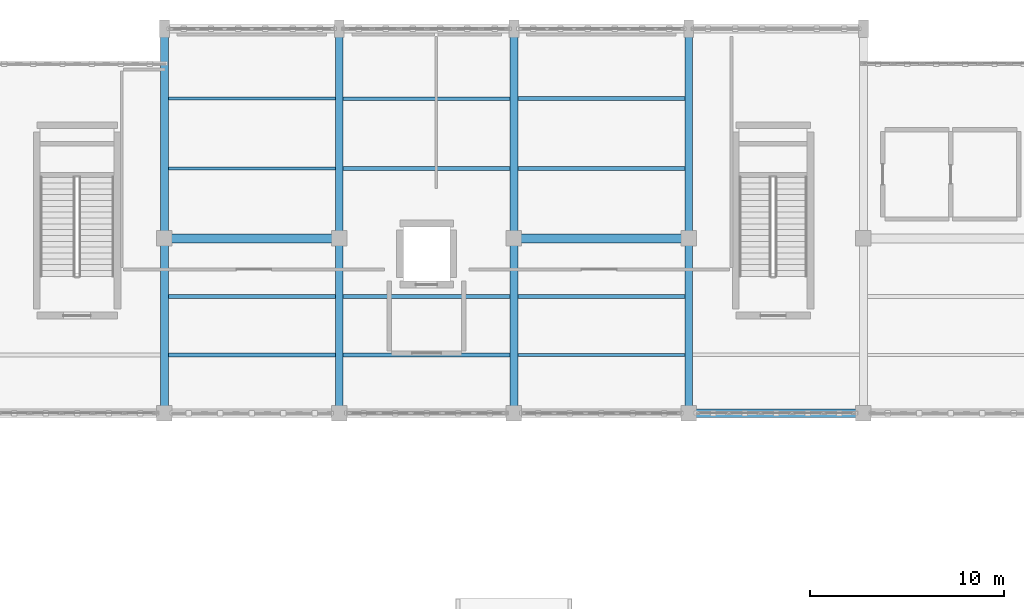
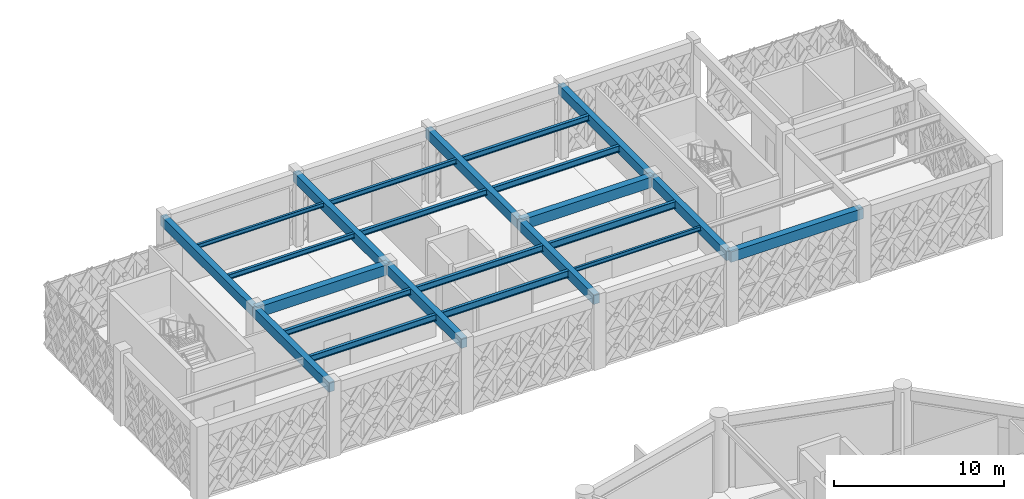
# One storey, part 38 of 86: 23 beams.
"""IFC4 building model written with IfcOpenShell, lengths in metres."""

import ifcopenshell
import ifcopenshell.guid

model = None  # the IFC model being written
_history = None  # IfcOwnerHistory: only IFC2X3 demands one
_inside = {}  # id of a spatial element -> (the spatial element, [elements in it])
_under = {}  # id of a project, library or spatial element -> (it, [spatial elements below it])
_declared = {}  # id of a project -> (the project, [libraries it declares])
_typed = {}  # id of a type object -> (the type object, [elements of that type])
_made_of = {}  # id of a material, layer set ... -> (it, [elements and type objects made of it])


def new_model(schema):
    """Start an empty IFC model of exactly this schema.

    Asked for "IFC4X3", IfcOpenShell would pick the latest addendum, in which some entities
    have other attributes; the version numbers below select the first issue.
    IFC2X3 requires an IfcOwnerHistory on every rooted entity: one is made here for all.
    """
    global model, _history
    if schema == "IFC4X3":
        model = ifcopenshell.file(schema_version=(4, 3, 0, 0))
    else:
        model = ifcopenshell.file(schema=schema)
    _inside.clear()
    _under.clear()
    _declared.clear()
    _typed.clear()
    _made_of.clear()
    _history = None
    if model.schema == "IFC2X3":
        org = make("IfcOrganization", Name="unknown")
        user = make(
            "IfcPersonAndOrganization",
            ThePerson=make("IfcPerson", FamilyName="unknown"),
            TheOrganization=org,
        )
        app = make(
            "IfcApplication",
            ApplicationDeveloper=org,
            Version="unknown",
            ApplicationFullName="unknown",
            ApplicationIdentifier="unknown",
        )
        _history = make(
            "IfcOwnerHistory",
            OwningUser=user,
            OwningApplication=app,
            ChangeAction="ADDED",
            CreationDate=0,
        )
    return model


def make(cls, **values):
    """One entity of the class cls with the attributes given. An attribute that is None is left unset."""
    return model.create_entity(
        cls, **{name: value for name, value in values.items() if value is not None}
    )


def rooted(cls, **values):
    """An entity with a GlobalId (a new one), such as an element, a storey or a relation."""
    return make(cls, GlobalId=ifcopenshell.guid.new(), OwnerHistory=_history, **values)


def si_unit(unit_type, name, prefix=None):
    """IfcSIUnit, for example si_unit("LENGTHUNIT", "METRE", prefix="MILLI")."""
    return make("IfcSIUnit", UnitType=unit_type, Prefix=prefix, Name=name)


def assignment(units):
    """IfcUnitAssignment: the units of a project."""
    return None if units is None else make("IfcUnitAssignment", Units=units)


def point(xyz):
    """IfcCartesianPoint."""
    return None if xyz is None else make("IfcCartesianPoint", Coordinates=xyz)


def direction(xyz):
    """IfcDirection."""
    return None if xyz is None else make("IfcDirection", DirectionRatios=xyz)


def frame(location, z_axis=None, x_axis=None):
    """IfcAxis2Placement3D, a coordinate frame: its origin and axes. An axis left out is left unset."""
    return make(
        "IfcAxis2Placement3D",
        Location=point(location),
        Axis=direction(z_axis),
        RefDirection=direction(x_axis),
    )


def frame_2d(location, x_axis=None):
    """IfcAxis2Placement2D, a coordinate frame in the plane: its origin and x axis."""
    return make(
        "IfcAxis2Placement2D", Location=point(location), RefDirection=direction(x_axis)
    )


def origin():
    """The frame at (0, 0, 0) with its axes left unset."""
    return frame((0.0, 0.0, 0.0))


def origin_2d():
    """The frame at (0, 0) in the plane with its x axis left unset."""
    return frame_2d((0.0, 0.0))


def place(relative_to, where):
    """IfcLocalPlacement: puts the frame where relative to a parent placement (None: the world)."""
    return make(
        "IfcLocalPlacement", PlacementRelTo=relative_to, RelativePlacement=where
    )


def context(
    kind, dimensions, precision=None, world=None, true_north=None, identifier=None
):
    """IfcGeometricRepresentationContext, for example the 3D "Model" context."""
    return make(
        "IfcGeometricRepresentationContext",
        ContextIdentifier=identifier,
        ContextType=kind,
        CoordinateSpaceDimension=dimensions,
        Precision=precision,
        WorldCoordinateSystem=world,
        TrueNorth=true_north,
    )


def subcontext(parent, identifier, kind, view, scale=None):
    """IfcGeometricRepresentationSubContext, for example "Body" below "Model"."""
    return make(
        "IfcGeometricRepresentationSubContext",
        ContextIdentifier=identifier,
        ContextType=kind,
        ParentContext=parent,
        TargetScale=scale,
        TargetView=view,
    )


def project(units=None, contexts=None):
    """IfcProject with its units and contexts."""
    return rooted(
        "IfcProject",
        Name="project",
        RepresentationContexts=contexts,
        UnitsInContext=assignment(units),
    )


def spatial(cls, under=None, at=None, **own):
    """A site, building, storey or space (cls), placed at a placement, below another one or the project."""
    s = rooted(cls, ObjectPlacement=at, **own)
    if under is not None:
        _under.setdefault(under.id(), (under, []))[1].append(s)
    return s


def profile(cls, at=None, kind="AREA", **sizes):
    """A parametric profile (cls). Its sizes go by their IFC names, for example OverallWidth=200.0."""
    return make(cls, ProfileType=kind, Position=at, **sizes)


def rectangle(**sizes):
    """IfcRectangleProfileDef."""
    return profile("IfcRectangleProfileDef", **sizes)


def i_section(**sizes):
    """IfcIShapeProfileDef."""
    return profile("IfcIShapeProfileDef", **sizes)


def extrude(swept, where, along, depth):
    """IfcExtrudedAreaSolid: the profile swept, set in the frame where, extruded along a direction by depth."""
    return make(
        "IfcExtrudedAreaSolid",
        SweptArea=swept,
        Position=where,
        ExtrudedDirection=direction(along),
        Depth=depth,
    )


def shape(context_of_items, identifier, shape_type, items):
    """IfcShapeRepresentation: the items that make up one representation, for example the "Body"."""
    return make(
        "IfcShapeRepresentation",
        ContextOfItems=context_of_items,
        RepresentationIdentifier=identifier,
        RepresentationType=shape_type,
        Items=items,
    )


def material(Name=None, Category=None):
    """IfcMaterial."""
    return make("IfcMaterial", Name=Name, Category=Category)


def material_profile(
    of_material, cross_section, Name=None, Category=None, Priority=None
):
    """IfcMaterialProfile: a cross section and its material."""
    return make(
        "IfcMaterialProfile",
        Name=Name,
        Material=of_material,
        Profile=cross_section,
        Priority=Priority,
        Category=Category,
    )


def profile_set(profiles, Name=None, composite=None):
    """IfcMaterialProfileSet."""
    return make(
        "IfcMaterialProfileSet",
        Name=Name,
        MaterialProfiles=profiles,
        CompositeProfile=composite,
    )


def made_of(thing, what):
    """Note that an element or type object is made of a material, layer set ...; save() writes the relation."""
    if what is not None:
        _made_of.setdefault(what.id(), (what, []))[1].append(thing)
    return thing


def type_object(cls, material=None, **own):
    """A type object (cls), such as IfcWallType, which elements share."""
    return made_of(rooted(cls, **own), material)


def element(
    cls,
    number,
    at=None,
    inside=None,
    cuts=None,
    type_object=None,
    material=None,
    context=None,
    identifier="Body",
    shape_type=None,
    held_by="IfcProductDefinitionShape",
    body=None,
    shapes=None,
    **own,
):
    """One element of the class cls, such as IfcWall. Its Tag is "e" and its number.

    at: its placement. inside: the storey or other place that contains it. cuts: it is an
    opening in that element (IfcRelVoidsElement). A single representation is given by context,
    identifier, shape_type and body (its items); several are given by shapes. held_by: the class
    of the entity that holds the representations. save() writes the other relations.
    """
    e = rooted(cls, Tag="e%d" % number, ObjectPlacement=at, **own)
    if body is not None:
        shapes = [shape(context, identifier, shape_type, body)]
    if shapes is not None:
        e.Representation = make(held_by, Representations=shapes)
    if inside is not None:
        _inside.setdefault(inside.id(), (inside, []))[1].append(e)
    if cuts is not None:
        rooted(
            "IfcRelVoidsElement", RelatingBuildingElement=cuts, RelatedOpeningElement=e
        )
    if type_object is not None:
        _typed.setdefault(type_object.id(), (type_object, []))[1].append(e)
    return made_of(e, material)


def aggregate(whole, parts):
    """IfcRelAggregates: a whole, such as a stair, and the parts it consists of."""
    return rooted("IfcRelAggregates", RelatingObject=whole, RelatedObjects=parts)


def save(model, path):
    """Write the relations noted so far, then the file.

    IfcRelAggregates (storeys below a building ...), IfcRelContainedInSpatialStructure (elements
    in a storey), IfcRelDefinesByType, IfcRelAssociatesMaterial and IfcRelDeclares: one each for
    every whole, place, type object, material and project.
    """
    for whole, parts in _under.values():
        aggregate(whole, parts)
    for where, things in _inside.values():
        rooted(
            "IfcRelContainedInSpatialStructure",
            RelatedElements=things,
            RelatingStructure=where,
        )
    for kind, things in _typed.values():
        rooted("IfcRelDefinesByType", RelatedObjects=things, RelatingType=kind)
    for what, things in _made_of.values():
        rooted("IfcRelAssociatesMaterial", RelatedObjects=things, RelatingMaterial=what)
    for by, libraries in _declared.values():
        rooted("IfcRelDeclares", RelatingContext=by, RelatedDefinitions=libraries)
    model.write(path)


model = new_model("IFC4")

# Units and contexts
model_context = context("Model", 3, precision=1e-05, world=origin(), true_north=direction((0.0, 1.0)))
body_context = subcontext(model_context, "Body", "Model", "MODEL_VIEW")
ifc_project = project(units=[si_unit("LENGTHUNIT", "METRE"), si_unit("AREAUNIT", "SQUARE_METRE"), si_unit("VOLUMEUNIT", "CUBIC_METRE"), si_unit("PLANEANGLEUNIT", "RADIAN"), si_unit("MASSUNIT", "GRAM", prefix="KILO")], contexts=[model_context])

# Site, building, storey
site_placement = place(None, origin())
site = spatial("IfcSite", under=ifc_project, at=site_placement, CompositionType="ELEMENT")
building_placement = place(site_placement, origin())
building = spatial("IfcBuilding", under=site, at=building_placement, Name="Haizhuo Lancet Aquarium", CompositionType="ELEMENT")
storey_placement = place(building_placement, frame((0.0, 0.0, 16.199951171875)))
storey = spatial("IfcBuildingStorey", under=building, at=storey_placement, Name="L03", CompositionType="ELEMENT", Elevation=16.199951171875)

# Beams
ifc_material_1 = material(Name="Concrete C40/50", Category="concrete")
ifc_material_profile_1 = material_profile(ifc_material_1, rectangle(XDim=0.39990234375, YDim=0.699951171875, at=origin_2d()), Name="RC-BM 400x700")
ifc_profile_set_1 = profile_set([ifc_material_profile_1], Name="Concrete C40/50")
beam_type_1 = type_object("IfcBeamType", Name="BM-RC-400x700", PredefinedType="BEAM", material=ifc_profile_set_1)
beam_1_placement = place(storey_placement, frame((-18.0, 36.0, 4.800048828125), z_axis=(0.0, 1.0, 0.0), x_axis=(-1.0, 0.0, 0.0)))
element("IfcBeam", 1, at=beam_1_placement, inside=storey, type_object=beam_type_1, Name="L03 V5 primary girder BM-L03-V5-003", PredefinedType="BEAM", context=body_context, shape_type="SweptSolid", body=[
    extrude(rectangle(XDim=0.39990234375, YDim=0.699951171875, at=origin_2d()), origin(), (0.0, 0.0, 1.0), 9.0),
])
beam_2_placement = place(storey_placement, frame((-18.0, 45.0, 4.800048828125), z_axis=(0.0, 1.0, 0.0), x_axis=(-1.0, 0.0, 0.0)))
element("IfcBeam", 2, at=beam_2_placement, inside=storey, type_object=beam_type_1, Name="L03 V5 primary girder BM-L03-V5-005", PredefinedType="BEAM", context=body_context, shape_type="SweptSolid", body=[
    extrude(rectangle(XDim=0.39990234375, YDim=0.699951171875, at=origin_2d()), origin(), (0.0, 0.0, 1.0), 10.800048828125),
])
beam_3_placement = place(storey_placement, frame((-9.0, 36.0, 4.800048828125), z_axis=(0.0, 1.0, 0.0), x_axis=(-1.0, 0.0, 0.0)))
element("IfcBeam", 3, at=beam_3_placement, inside=storey, type_object=beam_type_1, Name="L03 V5 primary girder BM-L03-V5-008", PredefinedType="BEAM", context=body_context, shape_type="SweptSolid", body=[
    extrude(rectangle(XDim=0.39990234375, YDim=0.699951171875, at=origin_2d()), origin(), (0.0, 0.0, 1.0), 9.0),
])
beam_4_placement = place(storey_placement, frame((-9.0, 45.0, 4.800048828125), z_axis=(0.0, 1.0, 0.0), x_axis=(-1.0, 0.0, 0.0)))
element("IfcBeam", 4, at=beam_4_placement, inside=storey, type_object=beam_type_1, Name="L03 V5 primary girder BM-L03-V5-010", PredefinedType="BEAM", context=body_context, shape_type="SweptSolid", body=[
    extrude(rectangle(XDim=0.39990234375, YDim=0.699951171875, at=origin_2d()), origin(), (0.0, 0.0, 1.0), 10.800048828125),
])
beam_5_placement = place(storey_placement, frame((0.0, 36.0, 4.800048828125), z_axis=(0.0, 1.0, 0.0), x_axis=(-1.0, 0.0, 0.0)))
element("IfcBeam", 5, at=beam_5_placement, inside=storey, type_object=beam_type_1, Name="L03 V5 primary girder BM-L03-V5-012", PredefinedType="BEAM", context=body_context, shape_type="SweptSolid", body=[
    extrude(rectangle(XDim=0.39990234375, YDim=0.699951171875, at=origin_2d()), origin(), (0.0, 0.0, 1.0), 9.0),
])
beam_6_placement = place(storey_placement, frame((0.0, 45.0, 4.800048828125), z_axis=(0.0, 1.0, 0.0), x_axis=(-1.0, 0.0, 0.0)))
element("IfcBeam", 6, at=beam_6_placement, inside=storey, type_object=beam_type_1, Name="L03 V5 primary girder BM-L03-V5-014", PredefinedType="BEAM", context=body_context, shape_type="SweptSolid", body=[
    extrude(rectangle(XDim=0.39990234375, YDim=0.699951171875, at=origin_2d()), origin(), (0.0, 0.0, 1.0), 10.800048828125),
])
beam_7_placement = place(storey_placement, frame((9.0, 36.0, 4.800048828125), z_axis=(0.0, 1.0, 0.0), x_axis=(-1.0, 0.0, 0.0)))
element("IfcBeam", 7, at=beam_7_placement, inside=storey, type_object=beam_type_1, Name="L03 V5 primary girder BM-L03-V5-017", PredefinedType="BEAM", context=body_context, shape_type="SweptSolid", body=[
    extrude(rectangle(XDim=0.39990234375, YDim=0.699951171875, at=origin_2d()), origin(), (0.0, 0.0, 1.0), 9.0),
])
beam_8_placement = place(storey_placement, frame((9.0, 45.0, 4.800048828125), z_axis=(0.0, 1.0, 0.0), x_axis=(-1.0, 0.0, 0.0)))
element("IfcBeam", 8, at=beam_8_placement, inside=storey, type_object=beam_type_1, Name="L03 V5 primary girder BM-L03-V5-019", PredefinedType="BEAM", context=body_context, shape_type="SweptSolid", body=[
    extrude(rectangle(XDim=0.39990234375, YDim=0.699951171875, at=origin_2d()), origin(), (0.0, 0.0, 1.0), 10.800048828125),
])
ifc_material_profile_2 = material_profile(ifc_material_1, rectangle(XDim=0.449951171875, YDim=0.75, at=origin_2d()), Name="RC-BM 450x750")
ifc_profile_set_2 = profile_set([ifc_material_profile_2], Name="Concrete C40/50")
beam_type_2 = type_object("IfcBeamType", Name="BM-RC-450x750", PredefinedType="BEAM", material=ifc_profile_set_2)
for number, where, z_axis, x_axis, name in (
    (9, (-18.0, 45.0, 4.775146484375), (1.0, 0.0, 0.0), (0.0, 1.0, 0.0), "L03 V5 primary girder BM-L03-V5-006"),
    (10, (0.0, 45.0, 4.775146484375), (1.0, 0.0, 0.0), (0.0, 1.0, 0.0), "L03 V5 primary girder BM-L03-V5-015"),
    (11, (9.0, 36.0, 4.775146484375), (1.0, 0.0, 0.0), (0.0, 1.0, 0.0), "L03 V5 primary girder BM-L03-V5-018"),
):
    element("IfcBeam", number, at=place(storey_placement, frame(where, z_axis=z_axis, x_axis=x_axis)), inside=storey, type_object=beam_type_2, Name=name, PredefinedType="BEAM", context=body_context, shape_type="SweptSolid", body=[
        extrude(rectangle(XDim=0.449951171875, YDim=0.75, at=origin_2d()), origin(), (0.0, 0.0, 1.0), 9.0),
    ])
ifc_material_2 = material(Name="Steel S355", Category="steel")
ifc_material_profile_3 = material_profile(ifc_material_2, i_section(OverallWidth=0.14990234375, OverallDepth=0.300048828125, WebThickness=0.006591796875, FlangeThickness=0.009033203125, FilletRadius=0.012939453125, at=origin_2d()), Name="HN 300x150x6.5x9")
ifc_profile_set_3 = profile_set([ifc_material_profile_3], Name="Steel S355")
beam_type_3 = type_object("IfcBeamType", Name="JST-ST-HN300", PredefinedType="JOIST", material=ifc_profile_set_3)
for number, where, z_axis, x_axis, name in (
    (12, (-17.800048828125, 52.199951171875, 5.0), (1.0, 0.0, 0.0), (0.0, 1.0, 0.0), "L03 V5 secondary floor joist 5"),
    (13, (0.199951171875, 39.0, 5.0), (1.0, 0.0, 0.0), (0.0, 1.0, 0.0), "L03 V5 secondary floor joist 10"),
):
    element("IfcBeam", number, at=place(storey_placement, frame(where, z_axis=z_axis, x_axis=x_axis)), inside=storey, type_object=beam_type_3, Name=name, PredefinedType="JOIST", context=body_context, shape_type="SweptSolid", body=[
        extrude(i_section(OverallWidth=0.14990234375, OverallDepth=0.300048828125, WebThickness=0.006591796875, FlangeThickness=0.009033203125, FilletRadius=0.012939453125, at=origin_2d()), origin(), (0.0, 0.0, 1.0), 8.60009765625),
    ])
ifc_material_profile_4 = material_profile(ifc_material_2, i_section(OverallWidth=0.175048828125, OverallDepth=0.35009765625, WebThickness=0.007080078125, FlangeThickness=0.010986328125, FilletRadius=0.013916015625, at=origin_2d()), Name="HN 350x175x7x11")
ifc_profile_set_4 = profile_set([ifc_material_profile_4], Name="Steel S355")
beam_type_4 = type_object("IfcBeamType", Name="JST-ST-HN350", PredefinedType="JOIST", material=ifc_profile_set_4)
for number, where, z_axis, x_axis, name in (
    (14, (-17.800048828125, 48.60009765625, 4.97509765625), (1.0, 0.0, 0.0), (0.0, 1.0, 0.0), "L03 V5 secondary floor joist 4"),
    (15, (-8.800048828125, 52.199951171875, 4.97509765625), (1.0, 0.0, 0.0), (0.0, 1.0, 0.0), "L03 V5 secondary floor joist 9"),
):
    element("IfcBeam", number, at=place(storey_placement, frame(where, z_axis=z_axis, x_axis=x_axis)), inside=storey, type_object=beam_type_4, Name=name, PredefinedType="JOIST", context=body_context, shape_type="SweptSolid", body=[
        extrude(i_section(OverallWidth=0.175048828125, OverallDepth=0.35009765625, WebThickness=0.007080078125, FlangeThickness=0.010986328125, FilletRadius=0.013916015625, at=origin_2d()), origin(), (0.0, 0.0, 1.0), 8.60009765625),
    ])
ifc_material_profile_5 = material_profile(ifc_material_2, i_section(OverallWidth=0.199951171875, OverallDepth=0.39990234375, WebThickness=0.008056640625, FlangeThickness=0.012939453125, FilletRadius=0.01611328125, at=origin_2d()), Name="HN 400x200x8x13")
ifc_profile_set_5 = profile_set([ifc_material_profile_5], Name="Steel S355")
beam_type_5 = type_object("IfcBeamType", Name="JST-ST-HN400", PredefinedType="JOIST", material=ifc_profile_set_5)
for number, where, z_axis, x_axis, name in (
    (16, (-17.800048828125, 42.0, 4.949951171875), (1.0, 0.0, 0.0), (0.0, 1.0, 0.0), "L03 V5 secondary floor joist 3"),
    (17, (-8.800048828125, 48.60009765625, 4.949951171875), (1.0, 0.0, 0.0), (0.0, 1.0, 0.0), "L03 V5 secondary floor joist 8"),
    (18, (0.199951171875, 52.199951171875, 4.949951171875), (1.0, 0.0, 0.0), (0.0, 1.0, 0.0), "L03 V5 secondary floor joist 13"),
):
    element("IfcBeam", number, at=place(storey_placement, frame(where, z_axis=z_axis, x_axis=x_axis)), inside=storey, type_object=beam_type_5, Name=name, PredefinedType="JOIST", context=body_context, shape_type="SweptSolid", body=[
        extrude(i_section(OverallWidth=0.199951171875, OverallDepth=0.39990234375, WebThickness=0.008056640625, FlangeThickness=0.012939453125, FilletRadius=0.01611328125, at=origin_2d()), origin(), (0.0, 0.0, 1.0), 8.60009765625),
    ])
ifc_material_profile_6 = material_profile(ifc_material_2, i_section(OverallWidth=0.199951171875, OverallDepth=0.449951171875, WebThickness=0.009033203125, FlangeThickness=0.013916015625, FilletRadius=0.01806640625, at=origin_2d()), Name="HN 450x200x9x14")
ifc_profile_set_6 = profile_set([ifc_material_profile_6], Name="Steel S355")
beam_type_6 = type_object("IfcBeamType", Name="JST-ST-HN450", PredefinedType="JOIST", material=ifc_profile_set_6)
for number, where, z_axis, x_axis, name in (
    (19, (-17.800048828125, 39.0, 4.925048828125), (1.0, 0.0, 0.0), (0.0, 1.0, 0.0), "L03 V5 secondary floor joist 2"),
    (20, (-8.800048828125, 42.0, 4.925048828125), (1.0, 0.0, 0.0), (0.0, 1.0, 0.0), "L03 V5 secondary floor joist 7"),
    (21, (0.199951171875, 48.60009765625, 4.925048828125), (1.0, 0.0, 0.0), (0.0, 1.0, 0.0), "L03 V5 secondary floor joist 12"),
):
    element("IfcBeam", number, at=place(storey_placement, frame(where, z_axis=z_axis, x_axis=x_axis)), inside=storey, type_object=beam_type_6, Name=name, PredefinedType="JOIST", context=body_context, shape_type="SweptSolid", body=[
        extrude(i_section(OverallWidth=0.199951171875, OverallDepth=0.449951171875, WebThickness=0.009033203125, FlangeThickness=0.013916015625, FilletRadius=0.01806640625, at=origin_2d()), origin(), (0.0, 0.0, 1.0), 8.60009765625),
    ])
ifc_material_profile_7 = material_profile(ifc_material_2, i_section(OverallWidth=0.199951171875, OverallDepth=0.5, WebThickness=0.010009765625, FlangeThickness=0.01611328125, FilletRadius=0.02001953125, at=origin_2d()), Name="HN 500x200x10x16")
ifc_profile_set_7 = profile_set([ifc_material_profile_7], Name="Steel S355")
beam_type_7 = type_object("IfcBeamType", Name="JST-ST-HN500", PredefinedType="JOIST", material=ifc_profile_set_7)
for number, where, z_axis, x_axis, name in (
    (22, (-8.800048828125, 39.0, 4.900146484375), (1.0, 0.0, 0.0), (0.0, 1.0, 0.0), "L03 V5 secondary floor joist 6"),
    (23, (0.199951171875, 42.0, 4.900146484375), (1.0, 0.0, 0.0), (0.0, 1.0, 0.0), "L03 V5 secondary floor joist 11"),
):
    element("IfcBeam", number, at=place(storey_placement, frame(where, z_axis=z_axis, x_axis=x_axis)), inside=storey, type_object=beam_type_7, Name=name, PredefinedType="JOIST", context=body_context, shape_type="SweptSolid", body=[
        extrude(i_section(OverallWidth=0.199951171875, OverallDepth=0.5, WebThickness=0.010009765625, FlangeThickness=0.01611328125, FilletRadius=0.02001953125, at=origin_2d()), origin(), (0.0, 0.0, 1.0), 8.60009765625),
    ])

save(model, "model.ifc")
